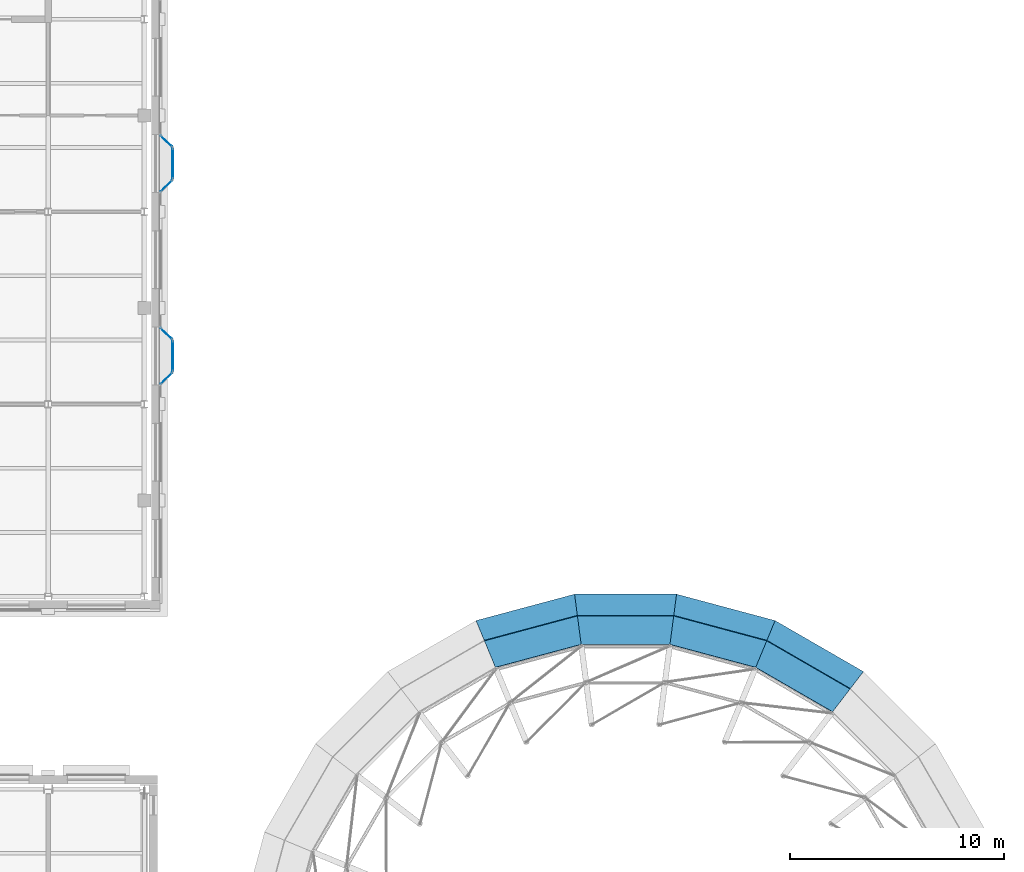
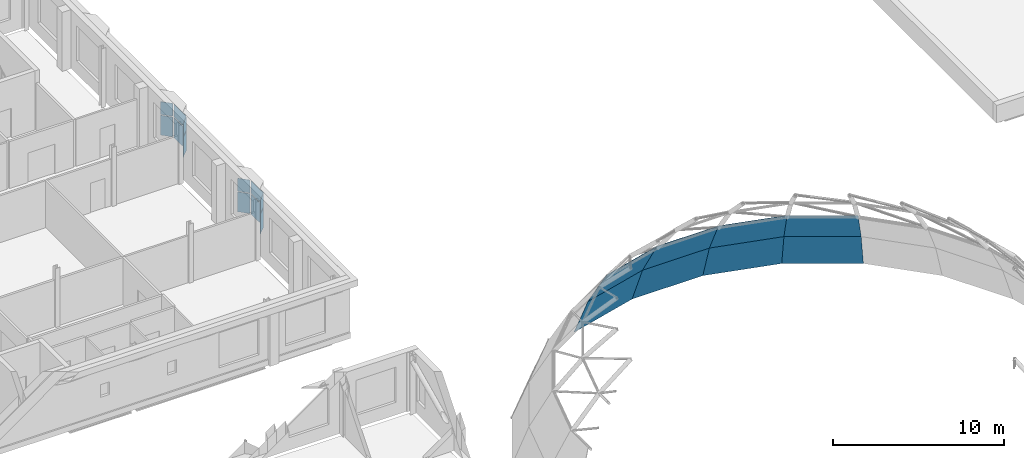
# One storey, part 29 of 62: 20 plates, 6 elements without a shape of their own.
"""IFC4 building model written with IfcOpenShell, lengths in metres."""

import ifcopenshell
import ifcopenshell.guid

model = None  # the IFC model being written
_history = None  # IfcOwnerHistory: only IFC2X3 demands one
_inside = {}  # id of a spatial element -> (the spatial element, [elements in it])
_under = {}  # id of a project, library or spatial element -> (it, [spatial elements below it])
_declared = {}  # id of a project -> (the project, [libraries it declares])
_typed = {}  # id of a type object -> (the type object, [elements of that type])
_made_of = {}  # id of a material, layer set ... -> (it, [elements and type objects made of it])


def new_model(schema):
    """Start an empty IFC model of exactly this schema.

    Asked for "IFC4X3", IfcOpenShell would pick the latest addendum, in which some entities
    have other attributes; the version numbers below select the first issue.
    IFC2X3 requires an IfcOwnerHistory on every rooted entity: one is made here for all.
    """
    global model, _history
    if schema == "IFC4X3":
        model = ifcopenshell.file(schema_version=(4, 3, 0, 0))
    else:
        model = ifcopenshell.file(schema=schema)
    _inside.clear()
    _under.clear()
    _declared.clear()
    _typed.clear()
    _made_of.clear()
    _history = None
    if model.schema == "IFC2X3":
        org = make("IfcOrganization", Name="unknown")
        user = make(
            "IfcPersonAndOrganization",
            ThePerson=make("IfcPerson", FamilyName="unknown"),
            TheOrganization=org,
        )
        app = make(
            "IfcApplication",
            ApplicationDeveloper=org,
            Version="unknown",
            ApplicationFullName="unknown",
            ApplicationIdentifier="unknown",
        )
        _history = make(
            "IfcOwnerHistory",
            OwningUser=user,
            OwningApplication=app,
            ChangeAction="ADDED",
            CreationDate=0,
        )
    return model


def make(cls, **values):
    """One entity of the class cls with the attributes given. An attribute that is None is left unset."""
    return model.create_entity(
        cls, **{name: value for name, value in values.items() if value is not None}
    )


def rooted(cls, **values):
    """An entity with a GlobalId (a new one), such as an element, a storey or a relation."""
    return make(cls, GlobalId=ifcopenshell.guid.new(), OwnerHistory=_history, **values)


def si_unit(unit_type, name, prefix=None):
    """IfcSIUnit, for example si_unit("LENGTHUNIT", "METRE", prefix="MILLI")."""
    return make("IfcSIUnit", UnitType=unit_type, Prefix=prefix, Name=name)


def assignment(units):
    """IfcUnitAssignment: the units of a project."""
    return None if units is None else make("IfcUnitAssignment", Units=units)


def point(xyz):
    """IfcCartesianPoint."""
    return None if xyz is None else make("IfcCartesianPoint", Coordinates=xyz)


def direction(xyz):
    """IfcDirection."""
    return None if xyz is None else make("IfcDirection", DirectionRatios=xyz)


def frame(location, z_axis=None, x_axis=None):
    """IfcAxis2Placement3D, a coordinate frame: its origin and axes. An axis left out is left unset."""
    return make(
        "IfcAxis2Placement3D",
        Location=point(location),
        Axis=direction(z_axis),
        RefDirection=direction(x_axis),
    )


def frame_2d(location, x_axis=None):
    """IfcAxis2Placement2D, a coordinate frame in the plane: its origin and x axis."""
    return make(
        "IfcAxis2Placement2D", Location=point(location), RefDirection=direction(x_axis)
    )


def origin():
    """The frame at (0, 0, 0) with its axes left unset."""
    return frame((0.0, 0.0, 0.0))


def origin_2d():
    """The frame at (0, 0) in the plane with its x axis left unset."""
    return frame_2d((0.0, 0.0))


def place(relative_to, where):
    """IfcLocalPlacement: puts the frame where relative to a parent placement (None: the world)."""
    return make(
        "IfcLocalPlacement", PlacementRelTo=relative_to, RelativePlacement=where
    )


def context(
    kind, dimensions, precision=None, world=None, true_north=None, identifier=None
):
    """IfcGeometricRepresentationContext, for example the 3D "Model" context."""
    return make(
        "IfcGeometricRepresentationContext",
        ContextIdentifier=identifier,
        ContextType=kind,
        CoordinateSpaceDimension=dimensions,
        Precision=precision,
        WorldCoordinateSystem=world,
        TrueNorth=true_north,
    )


def subcontext(parent, identifier, kind, view, scale=None):
    """IfcGeometricRepresentationSubContext, for example "Body" below "Model"."""
    return make(
        "IfcGeometricRepresentationSubContext",
        ContextIdentifier=identifier,
        ContextType=kind,
        ParentContext=parent,
        TargetScale=scale,
        TargetView=view,
    )


def project(units=None, contexts=None):
    """IfcProject with its units and contexts."""
    return rooted(
        "IfcProject",
        Name="project",
        RepresentationContexts=contexts,
        UnitsInContext=assignment(units),
    )


def spatial(cls, under=None, at=None, **own):
    """A site, building, storey or space (cls), placed at a placement, below another one or the project."""
    s = rooted(cls, ObjectPlacement=at, **own)
    if under is not None:
        _under.setdefault(under.id(), (under, []))[1].append(s)
    return s


def polyline(points):
    """IfcPolyline through the points."""
    return make("IfcPolyline", Points=[point(p) for p in points])


def profile(cls, at=None, kind="AREA", **sizes):
    """A parametric profile (cls). Its sizes go by their IFC names, for example OverallWidth=200.0."""
    return make(cls, ProfileType=kind, Position=at, **sizes)


def rectangle(**sizes):
    """IfcRectangleProfileDef."""
    return profile("IfcRectangleProfileDef", **sizes)


def outline(outer, holes=None, kind="AREA"):
    """IfcArbitraryClosedProfileDef: a profile drawn as a closed curve; with holes, ...WithVoids."""
    if holes is None:
        return make("IfcArbitraryClosedProfileDef", ProfileType=kind, OuterCurve=outer)
    return make(
        "IfcArbitraryProfileDefWithVoids",
        ProfileType=kind,
        OuterCurve=outer,
        InnerCurves=holes,
    )


def extrude(swept, where, along, depth):
    """IfcExtrudedAreaSolid: the profile swept, set in the frame where, extruded along a direction by depth."""
    return make(
        "IfcExtrudedAreaSolid",
        SweptArea=swept,
        Position=where,
        ExtrudedDirection=direction(along),
        Depth=depth,
    )


def shape(context_of_items, identifier, shape_type, items):
    """IfcShapeRepresentation: the items that make up one representation, for example the "Body"."""
    return make(
        "IfcShapeRepresentation",
        ContextOfItems=context_of_items,
        RepresentationIdentifier=identifier,
        RepresentationType=shape_type,
        Items=items,
    )


def material(Name=None, Category=None):
    """IfcMaterial."""
    return make("IfcMaterial", Name=Name, Category=Category)


def layer(
    of_material, thickness, ventilated=None, Name=None, Category=None, Priority=None
):
    """IfcMaterialLayer: one layer of a wall or slab, of a material (None: an air gap)."""
    return make(
        "IfcMaterialLayer",
        Material=of_material,
        LayerThickness=thickness,
        IsVentilated=ventilated,
        Name=Name,
        Category=Category,
        Priority=Priority,
    )


def layer_set(layers, Name=None):
    """IfcMaterialLayerSet."""
    return make("IfcMaterialLayerSet", MaterialLayers=layers, LayerSetName=Name)


def made_of(thing, what):
    """Note that an element or type object is made of a material, layer set ...; save() writes the relation."""
    if what is not None:
        _made_of.setdefault(what.id(), (what, []))[1].append(thing)
    return thing


def type_object(cls, material=None, **own):
    """A type object (cls), such as IfcWallType, which elements share."""
    return made_of(rooted(cls, **own), material)


def element(
    cls,
    number,
    at=None,
    inside=None,
    cuts=None,
    type_object=None,
    material=None,
    context=None,
    identifier="Body",
    shape_type=None,
    held_by="IfcProductDefinitionShape",
    body=None,
    shapes=None,
    **own,
):
    """One element of the class cls, such as IfcWall. Its Tag is "e" and its number.

    at: its placement. inside: the storey or other place that contains it. cuts: it is an
    opening in that element (IfcRelVoidsElement). A single representation is given by context,
    identifier, shape_type and body (its items); several are given by shapes. held_by: the class
    of the entity that holds the representations. save() writes the other relations.
    """
    e = rooted(cls, Tag="e%d" % number, ObjectPlacement=at, **own)
    if body is not None:
        shapes = [shape(context, identifier, shape_type, body)]
    if shapes is not None:
        e.Representation = make(held_by, Representations=shapes)
    if inside is not None:
        _inside.setdefault(inside.id(), (inside, []))[1].append(e)
    if cuts is not None:
        rooted(
            "IfcRelVoidsElement", RelatingBuildingElement=cuts, RelatedOpeningElement=e
        )
    if type_object is not None:
        _typed.setdefault(type_object.id(), (type_object, []))[1].append(e)
    return made_of(e, material)


def aggregate(whole, parts):
    """IfcRelAggregates: a whole, such as a stair, and the parts it consists of."""
    return rooted("IfcRelAggregates", RelatingObject=whole, RelatedObjects=parts)


def save(model, path):
    """Write the relations noted so far, then the file.

    IfcRelAggregates (storeys below a building ...), IfcRelContainedInSpatialStructure (elements
    in a storey), IfcRelDefinesByType, IfcRelAssociatesMaterial and IfcRelDeclares: one each for
    every whole, place, type object, material and project.
    """
    for whole, parts in _under.values():
        aggregate(whole, parts)
    for where, things in _inside.values():
        rooted(
            "IfcRelContainedInSpatialStructure",
            RelatedElements=things,
            RelatingStructure=where,
        )
    for kind, things in _typed.values():
        rooted("IfcRelDefinesByType", RelatedObjects=things, RelatingType=kind)
    for what, things in _made_of.values():
        rooted("IfcRelAssociatesMaterial", RelatedObjects=things, RelatingMaterial=what)
    for by, libraries in _declared.values():
        rooted("IfcRelDeclares", RelatingContext=by, RelatedDefinitions=libraries)
    model.write(path)


model = new_model("IFC4")

# Units and contexts
model_context = context("Model", 3, precision=1e-05, world=origin(), true_north=direction((0.0, 1.0)))
body_context = subcontext(model_context, "Body", "Model", "MODEL_VIEW")
ifc_project = project(units=[si_unit("LENGTHUNIT", "METRE"), si_unit("AREAUNIT", "SQUARE_METRE"), si_unit("VOLUMEUNIT", "CUBIC_METRE"), si_unit("PLANEANGLEUNIT", "RADIAN"), si_unit("MASSUNIT", "GRAM", prefix="KILO")], contexts=[model_context])

# Site, building, storey
site_placement = place(None, origin())
site = spatial("IfcSite", under=ifc_project, at=site_placement, CompositionType="ELEMENT")
building_placement = place(site_placement, origin())
building = spatial("IfcBuilding", under=site, at=building_placement, Name="Hortulan Conservatory and Botanical Research Centre", CompositionType="ELEMENT")
storey_placement = place(building_placement, frame((0.0, 0.0, 15.0)))
storey = spatial("IfcBuildingStorey", under=building, at=storey_placement, Name="L03", CompositionType="ELEMENT", Elevation=15.0)

# Plates
ifc_material_1 = material(Name="Low-e laminated glass", Category="glass")
ifc_layer_1 = layer(ifc_material_1, 0.030029296875)
ifc_layer_set_1 = layer_set([ifc_layer_1], Name="Dome Glazing Panel 30")
plate_type_1 = type_object("IfcPlateType", Name="Dome Glazing Panel 30", PredefinedType="SHEET", material=ifc_layer_set_1)
plate_1_placement = place(storey_placement, frame((65.122314453125, 32.494873046875, -4.465576171875), z_axis=(0.467478600191, 0.809753337619, 0.354631203617), x_axis=(-0.866041960435, 0.499971321888, 7.435214e-06)))
element("IfcPlate", 1, at=plate_1_placement, inside=storey, type_object=plate_type_1, Name="Dome glazing panel", PredefinedType="SHEET", context=body_context, shape_type="SweptSolid", body=[
    extrude(outline(polyline([(0.0, 0.0), (4.769478473994549, -1.1102230246251565e-16), (4.6391180119354125, 2.7920253770526267), (0.1302776062926165, 2.792099158679018), (0.0, 0.0)])), origin(), (0.0, 0.0, -1.0), 0.030029296875),
])
plate_2_placement = place(storey_placement, frame((60.99169921875, 34.87939453125, -4.465576171875), z_axis=(0.242017154605, 0.903141987231, 0.354629733352), x_axis=(-0.965919634433, 0.258842152253, -5.90549e-06)))
element("IfcPlate", 2, at=plate_2_placement, inside=storey, type_object=plate_type_1, Name="Dome glazing panel", PredefinedType="SHEET", context=body_context, shape_type="SweptSolid", body=[
    extrude(outline(polyline([(0.0, 0.0), (4.769499088301798, 5.551115123125783e-17), (4.63909727381225, 2.7920899027720325), (0.13023354177850718, 2.79203130076673), (0.0, 0.0)])), origin(), (0.0, 0.0, -1.0), 0.030029296875),
])
plate_3_placement = place(storey_placement, frame((56.384765625, 36.114013671875, -4.465576171875), z_axis=(0.0, 0.93499652648, 0.354656870046), x_axis=(-1.0, 0.0, 0.0)))
element("IfcPlate", 3, at=plate_3_placement, inside=storey, type_object=plate_type_1, Name="Dome glazing panel", PredefinedType="SHEET", context=body_context, shape_type="SweptSolid", body=[
    extrude(outline(polyline([(0.0, 0.0), (4.76953125, 0.0), (4.63916015625, 2.7920913385142603), (0.13037109375, 2.7920913385142603), (0.0, 0.0)])), origin(), (0.0, 0.0, -1.0), 0.030029296875),
])
plate_4_placement = place(storey_placement, frame((51.615234375, 36.114013671875, -4.465576171875), z_axis=(-0.242017154605, 0.903141987231, 0.354629733352), x_axis=(-0.965919634433, -0.258842152253, 5.90549e-06)))
element("IfcPlate", 4, at=plate_4_placement, inside=storey, type_object=plate_type_1, Name="Dome glazing panel", PredefinedType="SHEET", context=body_context, shape_type="SweptSolid", body=[
    extrude(outline(polyline([(0.0, 0.0), (4.769499088301798, -5.551115123125783e-17), (4.639265546523291, 2.79203130076673), (0.1304018144895492, 2.7920899027720325), (0.0, 0.0)])), origin(), (0.0, 0.0, -1.0), 0.030029296875),
])
plate_5_placement = place(storey_placement, frame((64.514404296875, 31.702392578125, -1.85498046875), z_axis=(0.436787237102, 0.756546229352, 0.486677215779), x_axis=(-0.86602804805, 0.499995419968, 7.16473e-07)))
element("IfcPlate", 5, at=plate_5_placement, inside=storey, type_object=plate_type_1, Name="Dome glazing panel", PredefinedType="SHEET", context=body_context, shape_type="SweptSolid", body=[
    extrude(outline(polyline([(0.0, 0.0), (4.508840407350451, 1.1102230246251565e-16), (4.330136078897306, 2.789115035793432), (0.17874689526386317, 2.7891221385238065), (0.0, 0.0)])), origin(), (0.0, 0.0, -1.0), 0.030029296875),
])
plate_6_placement = place(storey_placement, frame((60.609619140625, 33.956787109375, -1.85498046875), z_axis=(0.22609905304, 0.843814176383, 0.486679415991), x_axis=(-0.965925711866, 0.25881947213, -1.337527e-06)))
element("IfcPlate", 6, at=plate_6_placement, inside=storey, type_object=plate_type_1, Name="Dome glazing panel", PredefinedType="SHEET", context=body_context, shape_type="SweptSolid", body=[
    extrude(outline(polyline([(0.0, 0.0), (4.508863733097076, 0.0), (4.330154750558121, 2.7891291305358745), (0.17869129493085006, 2.789115870827767), (0.0, 0.0)])), origin(), (0.0, 0.0, -1.0), 0.030029296875),
])
plate_7_placement = place(storey_placement, frame((56.25439453125, 35.123779296875, -1.85498046875), z_axis=(0.0, 0.873578609261, 0.486683072895), x_axis=(-1.0, 0.0, 0.0)))
element("IfcPlate", 7, at=plate_7_placement, inside=storey, type_object=plate_type_1, Name="Dome glazing panel", PredefinedType="SHEET", context=body_context, shape_type="SweptSolid", body=[
    extrude(outline(polyline([(0.0, 0.0), (4.5087890625, 0.0), (4.330078125, 2.7891290053017146), (0.1787109375, 2.7891290053017146), (0.0, 0.0)])), origin(), (0.0, 0.0, -1.0), 0.030029296875),
])
plate_8_placement = place(storey_placement, frame((51.74560546875, 35.123779296875, -1.85498046875), z_axis=(-0.22609905304, 0.843814176383, 0.486679415991), x_axis=(-0.965925711866, -0.25881947213, 1.337527e-06)))
element("IfcPlate", 8, at=plate_8_placement, inside=storey, type_object=plate_type_1, Name="Dome glazing panel", PredefinedType="SHEET", context=body_context, shape_type="SweptSolid", body=[
    extrude(outline(polyline([(0.0, 0.0), (4.508863733097076, 0.0), (4.330172438166227, 2.789115870827767), (0.17870898253895498, 2.7891291305358745), (0.0, 0.0)])), origin(), (0.0, 0.0, -1.0), 0.030029296875),
])

# Curtain wall, plates
ifc_material_2 = material(Name="Bronze-finished aluminium", Category="aluminium")
ifc_layer_2 = layer(ifc_material_2, 0.10009765625)
ifc_layer_set_2 = layer_set([ifc_layer_2], Name="Oriel Curtain Wall 1350 module")
curtain_wall_type = type_object("IfcCurtainWallType", Name="Oriel Curtain Wall 1350 module", PredefinedType="NOTDEFINED", material=ifc_layer_set_2)
curtain_wall_1_placement = place(storey_placement, origin())
curtain_wall_1 = element("IfcCurtainWall", 9, at=curtain_wall_1_placement, inside=storey, type_object=curtain_wall_type, Name="Oriel glazing", PredefinedType="NOTDEFINED")
ifc_layer_3 = layer(ifc_material_1, 0.028076171875)
ifc_layer_set_3 = layer_set([ifc_layer_3], Name="Laminated Glass Panel 28")
plate_type_2 = type_object("IfcPlateType", Name="Laminated Glass Panel 28", PredefinedType="CURTAIN_PANEL", material=ifc_layer_set_3)
plate_9_placement = place(storey_placement, frame((32.52490234375, 48.300048828125, 0.9599609375), z_axis=(0.0, 0.0, 1.0), x_axis=(0.707106781187, -0.707106781187, 0.0)))
plate_9 = element("IfcPlate", 10, at=plate_9_placement, type_object=plate_type_2, Name="CW2 panel 1.1", PredefinedType="CURTAIN_PANEL", context=body_context, shape_type="SweptSolid", body=[
    extrude(rectangle(XDim=0.728515625, YDim=0.028076171875, at=origin_2d()), origin(), (0.0, 0.0, 1.0), 1.409912109375),
])
plate_10_placement = place(storey_placement, frame((32.52490234375, 48.300048828125, 2.43017578125), z_axis=(0.0, 0.0, 1.0), x_axis=(0.707106781187, -0.707106781187, 0.0)))
plate_10 = element("IfcPlate", 11, at=plate_10_placement, type_object=plate_type_2, Name="CW2 panel 1.2", PredefinedType="CURTAIN_PANEL", context=body_context, shape_type="SweptSolid", body=[
    extrude(rectangle(XDim=0.728515625, YDim=0.028076171875, at=origin_2d()), origin(), (0.0, 0.0, 1.0), 0.909912109375),
])
aggregate(curtain_wall_1, [plate_9, plate_10])

curtain_wall_2_placement = place(storey_placement, origin())
curtain_wall_2 = element("IfcCurtainWall", 12, at=curtain_wall_2_placement, inside=storey, type_object=curtain_wall_type, Name="Oriel glazing", PredefinedType="NOTDEFINED")
plate_11_placement = place(storey_placement, frame((32.824951171875, 47.25, 0.9599609375), z_axis=(0.0, 0.0, 1.0), x_axis=(0.0, -1.0, 0.0)))
plate_11 = element("IfcPlate", 13, at=plate_11_placement, type_object=plate_type_2, Name="CW2 panel 1.1", PredefinedType="CURTAIN_PANEL", context=body_context, shape_type="SweptSolid", body=[
    extrude(rectangle(XDim=1.3798828125, YDim=0.028076171875, at=origin_2d()), origin(), (0.0, 0.0, 1.0), 1.409912109375),
])
plate_12_placement = place(storey_placement, frame((32.824951171875, 47.25, 2.43017578125), z_axis=(0.0, 0.0, 1.0), x_axis=(0.0, -1.0, 0.0)))
plate_12 = element("IfcPlate", 14, at=plate_12_placement, type_object=plate_type_2, Name="CW2 panel 1.2", PredefinedType="CURTAIN_PANEL", context=body_context, shape_type="SweptSolid", body=[
    extrude(rectangle(XDim=1.3798828125, YDim=0.028076171875, at=origin_2d()), origin(), (0.0, 0.0, 1.0), 0.909912109375),
])
aggregate(curtain_wall_2, [plate_11, plate_12])

curtain_wall_3_placement = place(storey_placement, origin())
curtain_wall_3 = element("IfcCurtainWall", 15, at=curtain_wall_3_placement, inside=storey, type_object=curtain_wall_type, Name="Oriel glazing", PredefinedType="NOTDEFINED")
plate_13_placement = place(storey_placement, frame((32.52490234375, 46.199951171875, 0.9599609375), z_axis=(0.0, 0.0, 1.0), x_axis=(-0.707106781187, -0.707106781187, 0.0)))
plate_13 = element("IfcPlate", 16, at=plate_13_placement, type_object=plate_type_2, Name="CW2 panel 1.1", PredefinedType="CURTAIN_PANEL", context=body_context, shape_type="SweptSolid", body=[
    extrude(rectangle(XDim=0.728515625, YDim=0.028076171875, at=origin_2d()), origin(), (0.0, 0.0, 1.0), 1.409912109375),
])
plate_14_placement = place(storey_placement, frame((32.52490234375, 46.199951171875, 2.43017578125), z_axis=(0.0, 0.0, 1.0), x_axis=(-0.707106781187, -0.707106781187, 0.0)))
plate_14 = element("IfcPlate", 17, at=plate_14_placement, type_object=plate_type_2, Name="CW2 panel 1.2", PredefinedType="CURTAIN_PANEL", context=body_context, shape_type="SweptSolid", body=[
    extrude(rectangle(XDim=0.728515625, YDim=0.028076171875, at=origin_2d()), origin(), (0.0, 0.0, 1.0), 0.909912109375),
])
aggregate(curtain_wall_3, [plate_13, plate_14])

curtain_wall_4_placement = place(storey_placement, origin())
curtain_wall_4 = element("IfcCurtainWall", 18, at=curtain_wall_4_placement, inside=storey, type_object=curtain_wall_type, Name="Oriel glazing", PredefinedType="NOTDEFINED")
plate_15_placement = place(storey_placement, frame((32.52490234375, 57.300048828125, 0.9599609375), z_axis=(0.0, 0.0, 1.0), x_axis=(0.707106781187, -0.707106781187, 0.0)))
plate_15 = element("IfcPlate", 19, at=plate_15_placement, type_object=plate_type_2, Name="CW2 panel 1.1", PredefinedType="CURTAIN_PANEL", context=body_context, shape_type="SweptSolid", body=[
    extrude(rectangle(XDim=0.728515625, YDim=0.028076171875, at=origin_2d()), origin(), (0.0, 0.0, 1.0), 1.409912109375),
])
plate_16_placement = place(storey_placement, frame((32.52490234375, 57.300048828125, 2.43017578125), z_axis=(0.0, 0.0, 1.0), x_axis=(0.707106781187, -0.707106781187, 0.0)))
plate_16 = element("IfcPlate", 20, at=plate_16_placement, type_object=plate_type_2, Name="CW2 panel 1.2", PredefinedType="CURTAIN_PANEL", context=body_context, shape_type="SweptSolid", body=[
    extrude(rectangle(XDim=0.728515625, YDim=0.028076171875, at=origin_2d()), origin(), (0.0, 0.0, 1.0), 0.909912109375),
])
aggregate(curtain_wall_4, [plate_15, plate_16])

curtain_wall_5_placement = place(storey_placement, origin())
curtain_wall_5 = element("IfcCurtainWall", 21, at=curtain_wall_5_placement, inside=storey, type_object=curtain_wall_type, Name="Oriel glazing", PredefinedType="NOTDEFINED")
plate_17_placement = place(storey_placement, frame((32.824951171875, 56.25, 0.9599609375), z_axis=(0.0, 0.0, 1.0), x_axis=(0.0, -1.0, 0.0)))
plate_17 = element("IfcPlate", 22, at=plate_17_placement, type_object=plate_type_2, Name="CW2 panel 1.1", PredefinedType="CURTAIN_PANEL", context=body_context, shape_type="SweptSolid", body=[
    extrude(rectangle(XDim=1.3798828125, YDim=0.028076171875, at=origin_2d()), origin(), (0.0, 0.0, 1.0), 1.409912109375),
])
plate_18_placement = place(storey_placement, frame((32.824951171875, 56.25, 2.43017578125), z_axis=(0.0, 0.0, 1.0), x_axis=(0.0, -1.0, 0.0)))
plate_18 = element("IfcPlate", 23, at=plate_18_placement, type_object=plate_type_2, Name="CW2 panel 1.2", PredefinedType="CURTAIN_PANEL", context=body_context, shape_type="SweptSolid", body=[
    extrude(rectangle(XDim=1.3798828125, YDim=0.028076171875, at=origin_2d()), origin(), (0.0, 0.0, 1.0), 0.909912109375),
])
aggregate(curtain_wall_5, [plate_17, plate_18])

curtain_wall_6_placement = place(storey_placement, origin())
curtain_wall_6 = element("IfcCurtainWall", 24, at=curtain_wall_6_placement, inside=storey, type_object=curtain_wall_type, Name="Oriel glazing", PredefinedType="NOTDEFINED")
plate_19_placement = place(storey_placement, frame((32.52490234375, 55.199951171875, 0.9599609375), z_axis=(0.0, 0.0, 1.0), x_axis=(-0.707106781187, -0.707106781187, 0.0)))
plate_19 = element("IfcPlate", 25, at=plate_19_placement, type_object=plate_type_2, Name="CW2 panel 1.1", PredefinedType="CURTAIN_PANEL", context=body_context, shape_type="SweptSolid", body=[
    extrude(rectangle(XDim=0.728515625, YDim=0.028076171875, at=origin_2d()), origin(), (0.0, 0.0, 1.0), 1.409912109375),
])
plate_20_placement = place(storey_placement, frame((32.52490234375, 55.199951171875, 2.43017578125), z_axis=(0.0, 0.0, 1.0), x_axis=(-0.707106781187, -0.707106781187, 0.0)))
plate_20 = element("IfcPlate", 26, at=plate_20_placement, type_object=plate_type_2, Name="CW2 panel 1.2", PredefinedType="CURTAIN_PANEL", context=body_context, shape_type="SweptSolid", body=[
    extrude(rectangle(XDim=0.728515625, YDim=0.028076171875, at=origin_2d()), origin(), (0.0, 0.0, 1.0), 0.909912109375),
])
aggregate(curtain_wall_6, [plate_19, plate_20])

save(model, "model.ifc")
